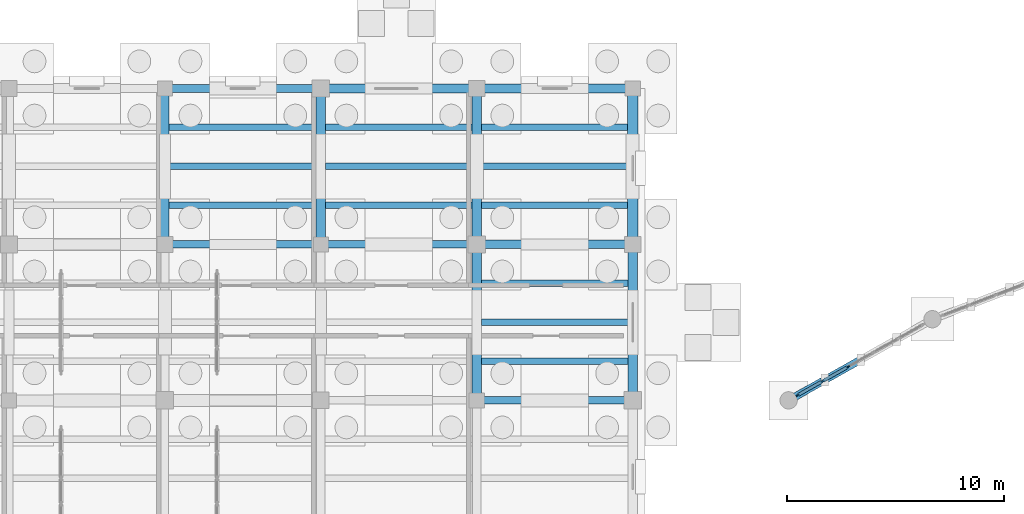
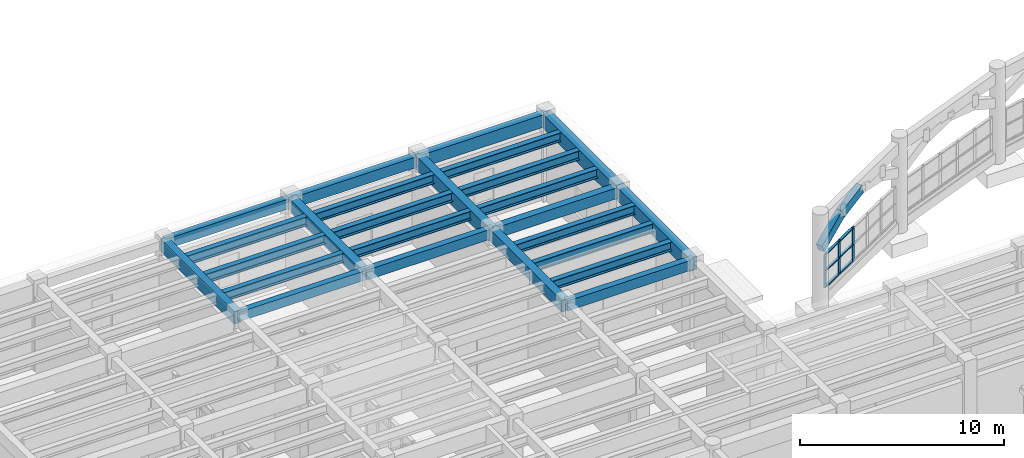
# One storey, part 26 of 100: 25 beams, 11 members, 1 element without a shape of its own.
"""IFC4 building model written with IfcOpenShell, lengths in metres."""

from ifc_helpers import new_model, si_unit, direction, frame, origin, origin_2d, place, context, subcontext, project, spatial, rectangle, i_section, extrude, material, material_profile, profile_set, type_object, element, aggregate, save


model = new_model("IFC4")

# Units and contexts
model_context = context("Model", 3, precision=1e-05, world=origin(), true_north=direction((0.0, 1.0)))
body_context = subcontext(model_context, "Body", "Model", "MODEL_VIEW")
ifc_project = project(units=[si_unit("LENGTHUNIT", "METRE"), si_unit("AREAUNIT", "SQUARE_METRE"), si_unit("VOLUMEUNIT", "CUBIC_METRE"), si_unit("PLANEANGLEUNIT", "RADIAN"), si_unit("MASSUNIT", "GRAM", prefix="KILO")], contexts=[model_context])

# Site, building, storey
site_placement = place(None, origin())
site = spatial("IfcSite", under=ifc_project, at=site_placement, CompositionType="ELEMENT")
building_placement = place(site_placement, origin())
building = spatial("IfcBuilding", under=site, at=building_placement, Name="Mithqara Police Headquarters", CompositionType="ELEMENT")
storey_placement = place(building_placement, origin())
storey = spatial("IfcBuildingStorey", under=building, at=storey_placement, Name="L00", CompositionType="ELEMENT", Elevation=0.0)

# Members
ifc_material_1 = material(Name="Concrete C50/60", Category="concrete")
ifc_material_profile_1 = material_profile(ifc_material_1, rectangle(XDim=0.35009765625, YDim=0.550048828125, at=origin_2d()), Name="ARC 350x550")
ifc_profile_set_1 = profile_set([ifc_material_profile_1], Name="Concrete C50/60")
member_type_1 = type_object("IfcMemberType", Name="ARCH SEG 350X550", PredefinedType="STRUT", material=ifc_profile_set_1)
member_1_placement = place(storey_placement, frame((43.800048828125, 93.0, 3.14990234375), z_axis=(0.784511803162, 0.442506657615, 0.434429613017), x_axis=(-0.491288792555, 0.8709967407, 0.0)))
element("IfcMember", 1, at=member_1_placement, inside=storey, type_object=member_type_1, Name="Forecourt Colonnade Bay 1 Ottoman Arch Chord 1", PredefinedType="STRUT", context=body_context, shape_type="SweptSolid", body=[
    extrude(rectangle(XDim=0.35009765625, YDim=0.550048828125, at=origin_2d()), origin(), (0.0, 0.0, 1.0), 2.115966796875),
])
member_2_placement = place(storey_placement, frame((45.4599609375, 93.936279296875, 4.069091796875), z_axis=(0.854090102127, 0.481807298788, 0.195938317547), x_axis=(-0.491331152556, 0.870972846033, 0.0)))
element("IfcMember", 2, at=member_2_placement, inside=storey, type_object=member_type_1, Name="Forecourt Colonnade Bay 1 Ottoman Arch Chord 2", PredefinedType="STRUT", context=body_context, shape_type="SweptSolid", body=[
    extrude(rectangle(XDim=0.35009765625, YDim=0.550048828125, at=origin_2d()), origin(), (0.0, 0.0, 1.0), 1.94384765625),
])

# Beams
ifc_material_2 = material(Name="Steel S355JR", Category="steel")
ifc_material_profile_2 = material_profile(ifc_material_2, i_section(OverallWidth=0.300048828125, OverallDepth=0.550048828125, WebThickness=0.014892578125, FlangeThickness=0.029052734375, FilletRadius=0.027099609375, at=origin_2d()), Name="HEB 550")
ifc_profile_set_2 = profile_set([ifc_material_profile_2], Name="Steel S355JR")
beam_type_1 = type_object("IfcBeamType", Name="BEAM HEB550", PredefinedType="BEAM", material=ifc_profile_set_2)
for number, where, z_axis, x_axis, name in (
    (3, (15.199951171875, 102.0, 4.844970703125), (1.0, 0.0, 0.0), (0.0, 1.0, 0.0), "L00 Composite Steel Joist 3-4/Q.1"),
    (4, (15.199951171875, 103.800048828125, 4.844970703125), (1.0, 0.0, 0.0), (0.0, 1.0, 0.0), "L00 Composite Steel Joist 3-4/Q.2"),
    (5, (15.199951171875, 105.60009765625, 4.844970703125), (1.0, 0.0, 0.0), (0.0, 1.0, 0.0), "L00 Composite Steel Joist 3-4/Q.3"),
):
    element("IfcBeam", number, at=place(storey_placement, frame(where, z_axis=z_axis, x_axis=x_axis)), inside=storey, type_object=beam_type_1, Name=name, PredefinedType="BEAM", context=body_context, shape_type="SweptSolid", body=[
        extrude(i_section(OverallWidth=0.300048828125, OverallDepth=0.550048828125, WebThickness=0.014892578125, FlangeThickness=0.029052734375, FilletRadius=0.027099609375, at=origin_2d()), origin(), (0.0, 0.0, 1.0), 6.775146484375),
    ])
for number, where, z_axis, x_axis, name in (
    (6, (22.425048828125, 102.0, 4.844970703125), (1.0, 0.0, 0.0), (0.0, 1.0, 0.0), "L00 Composite Steel Joist 4-5/Q.1"),
    (7, (22.425048828125, 103.800048828125, 4.844970703125), (1.0, 0.0, 0.0), (0.0, 1.0, 0.0), "L00 Composite Steel Joist 4-5/Q.2"),
    (8, (22.425048828125, 105.60009765625, 4.844970703125), (1.0, 0.0, 0.0), (0.0, 1.0, 0.0), "L00 Composite Steel Joist 4-5/Q.3"),
    (9, (29.625, 94.800048828125, 4.844970703125), (1.0, 0.0, 0.0), (0.0, 1.0, 0.0), "L00 Composite Steel Joist 5-6/P.1"),
    (10, (29.625, 96.60009765625, 4.844970703125), (1.0, 0.0, 0.0), (0.0, 1.0, 0.0), "L00 Composite Steel Joist 5-6/P.2"),
    (11, (29.625, 98.39990234375, 4.844970703125), (1.0, 0.0, 0.0), (0.0, 1.0, 0.0), "L00 Composite Steel Joist 5-6/P.3"),
):
    element("IfcBeam", number, at=place(storey_placement, frame(where, z_axis=z_axis, x_axis=x_axis)), inside=storey, type_object=beam_type_1, Name=name, PredefinedType="BEAM", context=body_context, shape_type="SweptSolid", body=[
        extrude(i_section(OverallWidth=0.300048828125, OverallDepth=0.550048828125, WebThickness=0.014892578125, FlangeThickness=0.029052734375, FilletRadius=0.027099609375, at=origin_2d()), origin(), (0.0, 0.0, 1.0), 6.75),
    ])
for number, where, z_axis, x_axis, name in (
    (12, (29.625, 102.0, 4.844970703125), (1.0, 0.0, 0.0), (0.0, 1.0, 0.0), "L00 Composite Steel Joist 5-6/Q.1"),
    (13, (29.625, 103.800048828125, 4.844970703125), (1.0, 0.0, 0.0), (0.0, 1.0, 0.0), "L00 Composite Steel Joist 5-6/Q.2"),
    (14, (29.625, 105.60009765625, 4.844970703125), (1.0, 0.0, 0.0), (0.0, 1.0, 0.0), "L00 Composite Steel Joist 5-6/Q.3"),
):
    element("IfcBeam", number, at=place(storey_placement, frame(where, z_axis=z_axis, x_axis=x_axis)), inside=storey, type_object=beam_type_1, Name=name, PredefinedType="BEAM", context=body_context, shape_type="SweptSolid", body=[
        extrude(i_section(OverallWidth=0.300048828125, OverallDepth=0.550048828125, WebThickness=0.014892578125, FlangeThickness=0.029052734375, FilletRadius=0.027099609375, at=origin_2d()), origin(), (0.0, 0.0, 1.0), 6.72509765625),
    ])
ifc_material_3 = material(Name="Concrete C40/50", Category="concrete")
ifc_material_profile_3 = material_profile(ifc_material_3, rectangle(XDim=0.35009765625, YDim=0.550048828125, at=origin_2d()), Name="RC 350x550")
ifc_profile_set_3 = profile_set([ifc_material_profile_3], Name="Concrete C40/50")
beam_type_2 = type_object("IfcBeamType", Name="BEAM RC350X550", PredefinedType="BEAM", material=ifc_profile_set_3)
beam_1_placement = place(storey_placement, frame((15.0, 100.199951171875, 4.844970703125), z_axis=(1.0, 0.0, 0.0), x_axis=(0.0, 1.0, 0.0)))
element("IfcBeam", 15, at=beam_1_placement, inside=storey, type_object=beam_type_2, Name="L00 Girder 3-4/Q", PredefinedType="BEAM", context=body_context, shape_type="SweptSolid", body=[
    extrude(rectangle(XDim=0.35009765625, YDim=0.550048828125, at=origin_2d()), origin(), (0.0, 0.0, 1.0), 7.199951171875),
])
ifc_material_profile_4 = material_profile(ifc_material_3, rectangle(XDim=0.35009765625, YDim=0.60009765625, at=origin_2d()), Name="RC 350x600")
ifc_profile_set_4 = profile_set([ifc_material_profile_4], Name="Concrete C40/50")
beam_type_3 = type_object("IfcBeamType", Name="BEAM RC350X600", PredefinedType="BEAM", material=ifc_profile_set_4)
for number, where, z_axis, x_axis, name in (
    (16, (15.0, 107.39990234375, 4.820068359375), (1.0, 0.0, 0.0), (0.0, 1.0, 0.0), "L00 Girder 3-4/R"),
    (17, (22.199951171875, 100.199951171875, 4.820068359375), (1.0, 0.0, 0.0), (0.0, 1.0, 0.0), "L00 Girder 4-5/Q"),
):
    element("IfcBeam", number, at=place(storey_placement, frame(where, z_axis=z_axis, x_axis=x_axis)), inside=storey, type_object=beam_type_3, Name=name, PredefinedType="BEAM", context=body_context, shape_type="SweptSolid", body=[
        extrude(rectangle(XDim=0.35009765625, YDim=0.60009765625, at=origin_2d()), origin(), (0.0, 0.0, 1.0), 7.199951171875),
    ])
beam_2_placement = place(storey_placement, frame((29.39990234375, 93.0, 4.820068359375), z_axis=(1.0, 0.0, 0.0), x_axis=(0.0, 1.0, 0.0)))
element("IfcBeam", 18, at=beam_2_placement, inside=storey, type_object=beam_type_3, Name="L00 Girder 5-6/P", PredefinedType="BEAM", context=body_context, shape_type="SweptSolid", body=[
    extrude(rectangle(XDim=0.35009765625, YDim=0.60009765625, at=origin_2d()), origin(), (0.0, 0.0, 1.0), 7.2001953125),
])
ifc_material_profile_5 = material_profile(ifc_material_3, rectangle(XDim=0.39990234375, YDim=0.64990234375, at=origin_2d()), Name="RC 400x650")
ifc_profile_set_5 = profile_set([ifc_material_profile_5], Name="Concrete C40/50")
beam_type_4 = type_object("IfcBeamType", Name="BEAM RC400X650", PredefinedType="BEAM", material=ifc_profile_set_5)
beam_3_placement = place(storey_placement, frame((22.199951171875, 107.39990234375, 4.794921875), z_axis=(1.0, 0.0, 0.0), x_axis=(0.0, 1.0, 0.0)))
element("IfcBeam", 19, at=beam_3_placement, inside=storey, type_object=beam_type_4, Name="L00 Girder 4-5/R", PredefinedType="BEAM", context=body_context, shape_type="SweptSolid", body=[
    extrude(rectangle(XDim=0.39990234375, YDim=0.64990234375, at=origin_2d()), origin(), (0.0, 0.0, 1.0), 7.199951171875),
])
beam_4_placement = place(storey_placement, frame((29.39990234375, 100.199951171875, 4.794921875), z_axis=(1.0, 0.0, 0.0), x_axis=(0.0, 1.0, 0.0)))
element("IfcBeam", 20, at=beam_4_placement, inside=storey, type_object=beam_type_4, Name="L00 Girder 5-6/Q", PredefinedType="BEAM", context=body_context, shape_type="SweptSolid", body=[
    extrude(rectangle(XDim=0.39990234375, YDim=0.64990234375, at=origin_2d()), origin(), (0.0, 0.0, 1.0), 7.2001953125),
])
ifc_material_profile_6 = material_profile(ifc_material_3, rectangle(XDim=0.39990234375, YDim=0.75, at=origin_2d()), Name="RC 400x750")
ifc_profile_set_6 = profile_set([ifc_material_profile_6], Name="Concrete C40/50")
beam_type_5 = type_object("IfcBeamType", Name="BEAM RC400X750", PredefinedType="BEAM", material=ifc_profile_set_6)
beam_5_placement = place(storey_placement, frame((15.0, 100.199951171875, 4.7451171875), z_axis=(0.0, 1.0, 0.0), x_axis=(-1.0, 0.0, 0.0)))
element("IfcBeam", 21, at=beam_5_placement, inside=storey, type_object=beam_type_5, Name="L00 Girder 3/Q-R", PredefinedType="BEAM", context=body_context, shape_type="SweptSolid", body=[
    extrude(rectangle(XDim=0.39990234375, YDim=0.75, at=origin_2d()), origin(), (0.0, 0.0, 1.0), 7.199951171875),
])
beam_6_placement = place(storey_placement, frame((29.39990234375, 107.39990234375, 4.7451171875), z_axis=(1.0, 0.0, 0.0), x_axis=(0.0, 1.0, 0.0)))
element("IfcBeam", 22, at=beam_6_placement, inside=storey, type_object=beam_type_5, Name="L00 Girder 5-6/R", PredefinedType="BEAM", context=body_context, shape_type="SweptSolid", body=[
    extrude(rectangle(XDim=0.39990234375, YDim=0.75, at=origin_2d()), origin(), (0.0, 0.0, 1.0), 7.2001953125),
])
ifc_material_profile_7 = material_profile(ifc_material_3, rectangle(XDim=0.449951171875, YDim=0.699951171875, at=origin_2d()), Name="RC 450x700")
ifc_profile_set_7 = profile_set([ifc_material_profile_7], Name="Concrete C40/50")
beam_type_6 = type_object("IfcBeamType", Name="BEAM RC450X700", PredefinedType="BEAM", material=ifc_profile_set_7)
for number, where, z_axis, x_axis, name in (
    (23, (22.199951171875, 100.199951171875, 4.77001953125), (0.0, 1.0, 0.0), (-1.0, 0.0, 0.0), "L00 Girder 4/Q-R"),
    (24, (29.39990234375, 93.0, 4.77001953125), (0.0, 1.0, 0.0), (-1.0, 0.0, 0.0), "L00 Girder 5/P-Q"),
):
    element("IfcBeam", number, at=place(storey_placement, frame(where, z_axis=z_axis, x_axis=x_axis)), inside=storey, type_object=beam_type_6, Name=name, PredefinedType="BEAM", context=body_context, shape_type="SweptSolid", body=[
        extrude(rectangle(XDim=0.449951171875, YDim=0.699951171875, at=origin_2d()), origin(), (0.0, 0.0, 1.0), 7.199951171875),
    ])
ifc_material_profile_8 = material_profile(ifc_material_3, rectangle(XDim=0.449951171875, YDim=0.800048828125, at=origin_2d()), Name="RC 450x800")
ifc_profile_set_8 = profile_set([ifc_material_profile_8], Name="Concrete C40/50")
beam_type_7 = type_object("IfcBeamType", Name="BEAM RC450X800", PredefinedType="BEAM", material=ifc_profile_set_8)
for number, where, z_axis, x_axis, name in (
    (25, (29.39990234375, 100.199951171875, 4.719970703125), (0.0, 1.0, 0.0), (-1.0, 0.0, 0.0), "L00 Girder 5/Q-R"),
    (26, (36.60009765625, 93.0, 4.719970703125), (0.0, 1.0, 0.0), (-1.0, 0.0, 0.0), "L00 Girder 6/P-Q"),
):
    element("IfcBeam", number, at=place(storey_placement, frame(where, z_axis=z_axis, x_axis=x_axis)), inside=storey, type_object=beam_type_7, Name=name, PredefinedType="BEAM", context=body_context, shape_type="SweptSolid", body=[
        extrude(rectangle(XDim=0.449951171875, YDim=0.800048828125, at=origin_2d()), origin(), (0.0, 0.0, 1.0), 7.199951171875),
    ])
ifc_material_profile_9 = material_profile(ifc_material_3, rectangle(XDim=0.5, YDim=0.85009765625, at=origin_2d()), Name="RC 500x850")
ifc_profile_set_9 = profile_set([ifc_material_profile_9], Name="Concrete C40/50")
beam_type_8 = type_object("IfcBeamType", Name="BEAM RC500X850", PredefinedType="BEAM", material=ifc_profile_set_9)
beam_7_placement = place(storey_placement, frame((36.60009765625, 100.199951171875, 4.695068359375), z_axis=(0.0, 1.0, 0.0), x_axis=(-1.0, 0.0, 0.0)))
element("IfcBeam", 27, at=beam_7_placement, inside=storey, type_object=beam_type_8, Name="L00 Girder 6/Q-R", PredefinedType="BEAM", context=body_context, shape_type="SweptSolid", body=[
    extrude(rectangle(XDim=0.5, YDim=0.85009765625, at=origin_2d()), origin(), (0.0, 0.0, 1.0), 7.199951171875),
])

# Curtain wall, members
ifc_material_4 = material(Name="Bronze anodised aluminium 6063-T6", Category="aluminium")
curtain_wall_type = type_object("IfcCurtainWallType", Name="CURTAIN WALL 6725X2000", PredefinedType="USERDEFINED", material=ifc_material_4)
curtain_wall_placement = place(storey_placement, origin())
curtain_wall = element("IfcCurtainWall", 28, at=curtain_wall_placement, inside=storey, type_object=curtain_wall_type, Name="L00 Unitised Glazing CW-11 (CW-ARC-L00-00-0)", ObjectType="UNITISED GLAZING", PredefinedType="USERDEFINED")
ifc_material_profile_10 = material_profile(ifc_material_4, rectangle(XDim=0.06494140625, YDim=0.179931640625, at=origin_2d()), Name="CWM 65x180")
ifc_profile_set_10 = profile_set([ifc_material_profile_10], Name="Bronze anodised aluminium 6063-T6")
member_type_2 = type_object("IfcMemberType", Name="CWMULLION 65X180", PredefinedType="MULLION", material=ifc_profile_set_10)
member_3_placement = place(storey_placement, frame((44.219970703125, 93.23681640625, 0.52001953125), z_axis=(0.0, 0.0, 1.0), x_axis=(-0.491315691036, 0.870981567969, 0.0)))
member_3 = element("IfcMember", 29, at=member_3_placement, type_object=member_type_2, Name="CW-11 mullion 1", PredefinedType="MULLION", context=body_context, shape_type="SweptSolid", body=[
    extrude(rectangle(XDim=0.06494140625, YDim=0.179931640625, at=origin_2d()), origin(), (0.0, 0.0, 1.0), 2.0),
])
member_4_placement = place(storey_placement, frame((45.363037109375, 93.881591796875, 0.52001953125), z_axis=(0.0, 0.0, 1.0), x_axis=(-0.491315691036, 0.870981567969, 0.0)))
member_4 = element("IfcMember", 30, at=member_4_placement, type_object=member_type_2, Name="CW-11 mullion 2", PredefinedType="MULLION", context=body_context, shape_type="SweptSolid", body=[
    extrude(rectangle(XDim=0.06494140625, YDim=0.179931640625, at=origin_2d()), origin(), (0.0, 0.0, 1.0), 2.0),
])
member_5_placement = place(storey_placement, frame((46.534423828125, 94.54248046875, 0.52001953125), z_axis=(0.0, 0.0, 1.0), x_axis=(-0.491315691036, 0.870981567969, 0.0)))
member_5 = element("IfcMember", 31, at=member_5_placement, type_object=member_type_2, Name="CW-11 mullion 3", PredefinedType="MULLION", context=body_context, shape_type="SweptSolid", body=[
    extrude(rectangle(XDim=0.06494140625, YDim=0.179931640625, at=origin_2d()), origin(), (0.0, 0.0, 1.0), 2.0),
])
ifc_material_profile_11 = material_profile(ifc_material_4, rectangle(XDim=0.139892578125, YDim=0.06494140625, at=origin_2d()), Name="CWT 140x65")
ifc_profile_set_11 = profile_set([ifc_material_profile_11], Name="Bronze anodised aluminium 6063-T6")
member_type_3 = type_object("IfcMemberType", Name="CWTRANSOM 140X65", PredefinedType="USERDEFINED", material=ifc_profile_set_11)
member_6_placement = place(storey_placement, frame((44.248291015625, 93.2529296875, 0.552490234375), z_axis=(0.870999943555, 0.49128311423, 0.0), x_axis=(-0.49128311423, 0.870999943555, 0.0)))
member_6 = element("IfcMember", 32, at=member_6_placement, type_object=member_type_3, Name="CW-11 transom 1.1", ObjectType="TRANSOM", PredefinedType="USERDEFINED", context=body_context, shape_type="SweptSolid", body=[
    extrude(rectangle(XDim=0.139892578125, YDim=0.06494140625, at=origin_2d()), origin(), (0.0, 0.0, 1.0), 1.247314453125),
])
member_7_placement = place(storey_placement, frame((44.248291015625, 93.2529296875, 1.52001953125), z_axis=(0.870999943555, 0.49128311423, 0.0), x_axis=(-0.49128311423, 0.870999943555, 0.0)))
member_7 = element("IfcMember", 33, at=member_7_placement, type_object=member_type_3, Name="CW-11 transom 1.2", ObjectType="TRANSOM", PredefinedType="USERDEFINED", context=body_context, shape_type="SweptSolid", body=[
    extrude(rectangle(XDim=0.139892578125, YDim=0.06494140625, at=origin_2d()), origin(), (0.0, 0.0, 1.0), 1.247314453125),
])
member_8_placement = place(storey_placement, frame((44.248291015625, 93.2529296875, 2.487548828125), z_axis=(0.870999943555, 0.49128311423, 0.0), x_axis=(-0.49128311423, 0.870999943555, 0.0)))
member_8 = element("IfcMember", 34, at=member_8_placement, type_object=member_type_3, Name="CW-11 transom 1.3", ObjectType="TRANSOM", PredefinedType="USERDEFINED", context=body_context, shape_type="SweptSolid", body=[
    extrude(rectangle(XDim=0.139892578125, YDim=0.06494140625, at=origin_2d()), origin(), (0.0, 0.0, 1.0), 1.247314453125),
])
member_9_placement = place(storey_placement, frame((45.391357421875, 93.897705078125, 0.552490234375), z_axis=(0.870953350717, 0.49136570991, 0.0), x_axis=(-0.49136570991, 0.870953350717, 0.0)))
member_9 = element("IfcMember", 35, at=member_9_placement, type_object=member_type_3, Name="CW-11 transom 2.1", ObjectType="TRANSOM", PredefinedType="USERDEFINED", context=body_context, shape_type="SweptSolid", body=[
    extrude(rectangle(XDim=0.139892578125, YDim=0.06494140625, at=origin_2d()), origin(), (0.0, 0.0, 1.0), 1.280029296875),
])
member_10_placement = place(storey_placement, frame((45.391357421875, 93.897705078125, 1.52001953125), z_axis=(0.870953350717, 0.49136570991, 0.0), x_axis=(-0.49136570991, 0.870953350717, 0.0)))
member_10 = element("IfcMember", 36, at=member_10_placement, type_object=member_type_3, Name="CW-11 transom 2.2", ObjectType="TRANSOM", PredefinedType="USERDEFINED", context=body_context, shape_type="SweptSolid", body=[
    extrude(rectangle(XDim=0.139892578125, YDim=0.06494140625, at=origin_2d()), origin(), (0.0, 0.0, 1.0), 1.280029296875),
])
member_11_placement = place(storey_placement, frame((45.391357421875, 93.897705078125, 2.487548828125), z_axis=(0.870953350717, 0.49136570991, 0.0), x_axis=(-0.49136570991, 0.870953350717, 0.0)))
member_11 = element("IfcMember", 37, at=member_11_placement, type_object=member_type_3, Name="CW-11 transom 2.3", ObjectType="TRANSOM", PredefinedType="USERDEFINED", context=body_context, shape_type="SweptSolid", body=[
    extrude(rectangle(XDim=0.139892578125, YDim=0.06494140625, at=origin_2d()), origin(), (0.0, 0.0, 1.0), 1.280029296875),
])
aggregate(curtain_wall, [member_3, member_4, member_5, member_6, member_7, member_8, member_9, member_10, member_11])

save(model, "model.ifc")
